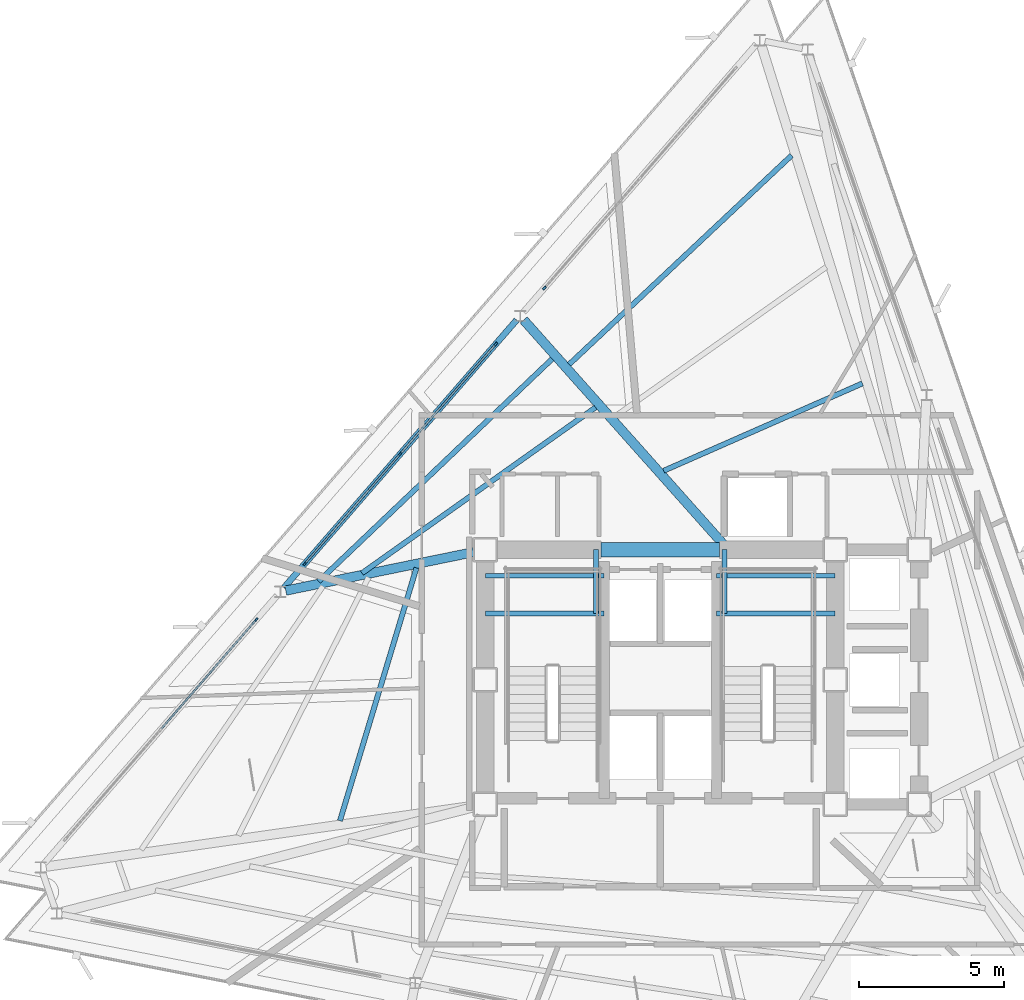
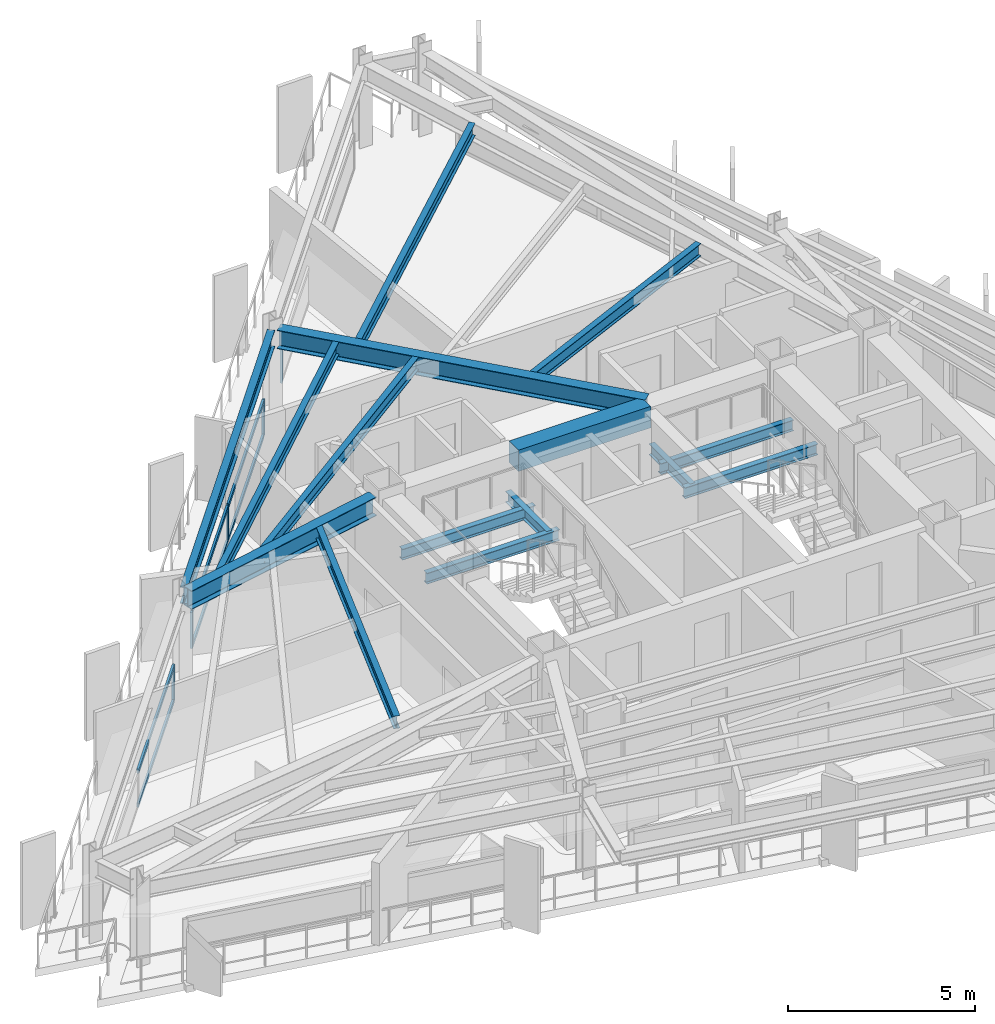
# One storey, part 4 of 14: 15 beams, 11 members, 3 elements without a shape of their own.
"""IFC4 building model written with IfcOpenShell, lengths in metres."""

from ifc_helpers import new_model, si_unit, direction, frame, origin, origin_2d, place, context, subcontext, project, spatial, rectangle, i_section, extrude, material, layer, layer_set, material_profile, profile_set, type_object, element, aggregate, save


model = new_model("IFC4")

# Units and contexts
model_context = context("Model", 3, precision=1e-05, world=origin(), true_north=direction((0.0, 1.0)))
body_context = subcontext(model_context, "Body", "Model", "MODEL_VIEW")
ifc_project = project(units=[si_unit("LENGTHUNIT", "METRE"), si_unit("AREAUNIT", "SQUARE_METRE"), si_unit("VOLUMEUNIT", "CUBIC_METRE"), si_unit("PLANEANGLEUNIT", "RADIAN"), si_unit("MASSUNIT", "GRAM", prefix="KILO")], contexts=[model_context])

# Site, building, storey
site_placement = place(None, origin())
site = spatial("IfcSite", under=ifc_project, at=site_placement, CompositionType="ELEMENT")
building_placement = place(site_placement, origin())
building = spatial("IfcBuilding", under=site, at=building_placement, Name="Rocaltana Carrier Exchange", CompositionType="ELEMENT")
storey_placement = place(building_placement, frame((0.0, 0.0, 168.47998046875)))
storey = spatial("IfcBuildingStorey", under=building, at=storey_placement, Name="L53", CompositionType="ELEMENT", Elevation=168.47998046875)

# Curtain wall, member
ifc_material_1 = material(Name="Aluminium 6063-T6", Category="aluminium")
ifc_layer = layer(ifc_material_1, 0.135009765625)
ifc_layer_set = layer_set([ifc_layer], Name="Aluminium 6063-T6")
curtain_wall_type = type_object("IfcCurtainWallType", Name="Upper-Mid Acoustic Curtain Wall CW-04", PredefinedType="NOTDEFINED", material=ifc_layer_set)
curtain_wall_1_placement = place(storey_placement, origin())
curtain_wall_1 = element("IfcCurtainWall", 1, at=curtain_wall_1_placement, inside=storey, type_object=curtain_wall_type, Name="L53 CW-04 Run CW-L53-F2S1", PredefinedType="NOTDEFINED")
ifc_material_2 = material(Name="Aluminium 6063-T6", Category="aluminium")
ifc_material_profile_1 = material_profile(ifc_material_2, rectangle(XDim=0.06494140625, YDim=0.135009765625, at=origin_2d()), Name="AL-65X135")
ifc_profile_set_1 = profile_set([ifc_material_profile_1], Name="Aluminium 6063-T6")
member_type_1 = type_object("IfcMemberType", Name="CW-04 Mullion AL-65X135", PredefinedType="MULLION", material=ifc_profile_set_1)
member_1_placement = place(storey_placement, frame((-4.005859375, 13.55126953125, 0.0), z_axis=(0.0, 0.0, 1.0), x_axis=(0.75471173919, -0.656056545375, 0.0)))
member_1 = element("IfcMember", 2, at=member_1_placement, type_object=member_type_1, Name="CW-04 mullion 3", PredefinedType="MULLION", context=body_context, shape_type="SweptSolid", body=[
    extrude(rectangle(XDim=0.06494140625, YDim=0.135009765625, at=origin_2d()), origin(), (0.0, 0.0, 1.0), 1.177978515625),
])
aggregate(curtain_wall_1, [member_1])

# Curtain wall, members
curtain_wall_2_placement = place(storey_placement, origin())
curtain_wall_2 = element("IfcCurtainWall", 3, at=curtain_wall_2_placement, inside=storey, type_object=curtain_wall_type, Name="L53 CW-04 Run CW-L53-F2S2", PredefinedType="NOTDEFINED")
member_2_placement = place(storey_placement, frame((-5.688720703125, 11.615478515625, 0.0), z_axis=(0.0, 0.0, 1.0), x_axis=(0.75471173919, -0.656056545375, 0.0)))
member_2 = element("IfcMember", 4, at=member_2_placement, type_object=member_type_1, Name="CW-04 mullion 1", PredefinedType="MULLION", context=body_context, shape_type="SweptSolid", body=[
    extrude(rectangle(XDim=0.06494140625, YDim=0.135009765625, at=origin_2d()), origin(), (0.0, 0.0, 1.0), 1.177978515625),
])
member_3_placement = place(storey_placement, frame((-8.9912109375, 7.816162109375, 0.0), z_axis=(0.0, 0.0, 1.0), x_axis=(0.75471173919, -0.656056545375, 0.0)))
member_3 = element("IfcMember", 5, at=member_3_placement, type_object=member_type_1, Name="CW-04 mullion 2", PredefinedType="MULLION", context=body_context, shape_type="SweptSolid", body=[
    extrude(rectangle(XDim=0.06494140625, YDim=0.135009765625, at=origin_2d()), origin(), (0.0, 0.0, 1.0), 1.177978515625),
])
member_4_placement = place(storey_placement, frame((-12.2939453125, 4.016845703125, 0.0), z_axis=(0.0, 0.0, 1.0), x_axis=(0.75471173919, -0.656056545375, 0.0)))
member_4 = element("IfcMember", 6, at=member_4_placement, type_object=member_type_1, Name="CW-04 mullion 3", PredefinedType="MULLION", context=body_context, shape_type="SweptSolid", body=[
    extrude(rectangle(XDim=0.06494140625, YDim=0.135009765625, at=origin_2d()), origin(), (0.0, 0.0, 1.0), 1.177978515625),
])

# Curtain wall, member
curtain_wall_3_placement = place(storey_placement, origin())
curtain_wall_3 = element("IfcCurtainWall", 7, at=curtain_wall_3_placement, inside=storey, type_object=curtain_wall_type, Name="L53 CW-04 Run CW-L53-F2S3", PredefinedType="NOTDEFINED")
member_5_placement = place(storey_placement, frame((-13.976806640625, 2.080810546875, 0.0), z_axis=(0.0, 0.0, 1.0), x_axis=(0.75471173919, -0.656056545375, 0.0)))
member_5 = element("IfcMember", 8, at=member_5_placement, type_object=member_type_1, Name="CW-04 mullion 1", PredefinedType="MULLION", context=body_context, shape_type="SweptSolid", body=[
    extrude(rectangle(XDim=0.06494140625, YDim=0.135009765625, at=origin_2d()), origin(), (0.0, 0.0, 1.0), 1.177978515625),
])

# Member
ifc_material_3 = material(Name="Aluminium 6063-T6", Category="aluminium")
ifc_material_profile_2 = material_profile(ifc_material_3, rectangle(XDim=0.06494140625, YDim=0.135009765625, at=origin_2d()), Name="AL-65X135")
ifc_profile_set_2 = profile_set([ifc_material_profile_2], Name="Aluminium 6063-T6")
member_type_2 = type_object("IfcMemberType", Name="CW-04 Transom AL-65X135", PredefinedType="USERDEFINED", material=ifc_profile_set_2)
member_6_placement = place(storey_placement, frame((-5.7099609375, 11.5908203125, 0.032470703125), z_axis=(-0.656055850486, -0.754712343243, 0.0), x_axis=(0.754712343243, -0.656055850486, 0.0)))
member_6 = element("IfcMember", 9, at=member_6_placement, type_object=member_type_2, Name="CW-04 transom 1.1", ObjectType="TRANSOM", PredefinedType="USERDEFINED", context=body_context, shape_type="SweptSolid", body=[
    extrude(rectangle(XDim=0.06494140625, YDim=0.135009765625, at=origin_2d()), origin(), (0.0, 0.0, 1.0), 4.968994140625),
])

member_7_placement = place(storey_placement, frame((-5.7099609375, 11.5908203125, 1.1455078125), z_axis=(-0.656055850486, -0.754712343243, 0.0), x_axis=(0.754712343243, -0.656055850486, 0.0)))
member_7 = element("IfcMember", 10, at=member_7_placement, type_object=member_type_2, Name="CW-04 transom 1.2", ObjectType="TRANSOM", PredefinedType="USERDEFINED", context=body_context, shape_type="SweptSolid", body=[
    extrude(rectangle(XDim=0.06494140625, YDim=0.135009765625, at=origin_2d()), origin(), (0.0, 0.0, 1.0), 4.968994140625),
])

member_8_placement = place(storey_placement, frame((-9.0126953125, 7.79150390625, 0.032470703125), z_axis=(-0.656055850486, -0.754712343243, 0.0), x_axis=(0.754712343243, -0.656055850486, 0.0)))
member_8 = element("IfcMember", 11, at=member_8_placement, type_object=member_type_2, Name="CW-04 transom 2.1", ObjectType="TRANSOM", PredefinedType="USERDEFINED", context=body_context, shape_type="SweptSolid", body=[
    extrude(rectangle(XDim=0.06494140625, YDim=0.135009765625, at=origin_2d()), origin(), (0.0, 0.0, 1.0), 4.968994140625),
])

member_9_placement = place(storey_placement, frame((-9.0126953125, 7.79150390625, 1.1455078125), z_axis=(-0.656055850486, -0.754712343243, 0.0), x_axis=(0.754712343243, -0.656055850486, 0.0)))
member_9 = element("IfcMember", 12, at=member_9_placement, type_object=member_type_2, Name="CW-04 transom 2.2", ObjectType="TRANSOM", PredefinedType="USERDEFINED", context=body_context, shape_type="SweptSolid", body=[
    extrude(rectangle(XDim=0.06494140625, YDim=0.135009765625, at=origin_2d()), origin(), (0.0, 0.0, 1.0), 4.968994140625),
])

aggregate(curtain_wall_2, [member_2, member_3, member_4, member_6, member_7, member_8, member_9])

member_10_placement = place(storey_placement, frame((-13.998046875, 2.056396484375, 0.032470703125), z_axis=(-0.656055850486, -0.754712343243, 0.0), x_axis=(0.754712343243, -0.656055850486, 0.0)))
member_10 = element("IfcMember", 13, at=member_10_placement, type_object=member_type_2, Name="CW-04 transom 1.1", ObjectType="TRANSOM", PredefinedType="USERDEFINED", context=body_context, shape_type="SweptSolid", body=[
    extrude(rectangle(XDim=0.06494140625, YDim=0.135009765625, at=origin_2d()), origin(), (0.0, 0.0, 1.0), 4.968994140625),
])

member_11_placement = place(storey_placement, frame((-13.998046875, 2.056396484375, 1.1455078125), z_axis=(-0.656055850486, -0.754712343243, 0.0), x_axis=(0.754712343243, -0.656055850486, 0.0)))
member_11 = element("IfcMember", 14, at=member_11_placement, type_object=member_type_2, Name="CW-04 transom 1.2", ObjectType="TRANSOM", PredefinedType="USERDEFINED", context=body_context, shape_type="SweptSolid", body=[
    extrude(rectangle(XDim=0.06494140625, YDim=0.135009765625, at=origin_2d()), origin(), (0.0, 0.0, 1.0), 4.968994140625),
])

aggregate(curtain_wall_3, [member_5, member_10, member_11])

# Beams
ifc_material_4 = material(Name="Concrete C60/75", Category="concrete")
ifc_material_profile_3 = material_profile(ifc_material_4, rectangle(XDim=0.5, YDim=0.699951171875, at=origin_2d()), Name="RC-BM-500X700")
ifc_profile_set_3 = profile_set([ifc_material_profile_3], Name="Concrete C60/75")
beam_type_1 = type_object("IfcBeamType", Name="Core Coupling Lintel 500x700", PredefinedType="LINTEL", material=ifc_profile_set_3)
beam_1_placement = place(storey_placement, frame((-2.050048828125, 4.5, 2.367919921875), z_axis=(1.0, 0.0, 0.0), x_axis=(0.0, 1.0, 0.0)))
element("IfcBeam", 15, at=beam_1_placement, inside=storey, type_object=beam_type_1, Name="L53 Core Coupling Lintel CL-N", PredefinedType="LINTEL", context=body_context, shape_type="SweptSolid", body=[
    extrude(rectangle(XDim=0.5, YDim=0.699951171875, at=origin_2d()), origin(), (0.0, 0.0, 1.0), 4.10009765625),
])
ifc_material_5 = material(Name="Steel S355", Category="steel")
ifc_material_profile_4 = material_profile(ifc_material_5, i_section(OverallWidth=0.172119140625, OverallDepth=0.35791015625, WebThickness=0.0078125, FlangeThickness=0.01318359375, FilletRadius=0.011962890625, at=origin_2d()), Name="W14X38")
ifc_profile_set_4 = profile_set([ifc_material_profile_4], Name="Steel S355")
beam_type_2 = type_object("IfcBeamType", Name="Floor Joist W14X38", PredefinedType="JOIST", material=ifc_profile_set_4)
for number, where, z_axis, x_axis, name in (
    (16, (-6.050048828125, 2.300048828125, 1.14111328125), (1.0, 0.0, 0.0), (0.0, 1.0, 0.0), "L53 ST-1 Landing Carrier 1"),
    (17, (1.93994140625, 2.300048828125, 1.14111328125), (1.0, 0.0, 0.0), (0.0, 1.0, 0.0), "L53 ST-2 Landing Carrier 1"),
    (18, (-6.050048828125, 3.60009765625, 1.14111328125), (1.0, 0.0, 0.0), (0.0, 1.0, 0.0), "L53 ST-1 Landing Carrier 2"),
    (19, (1.93994140625, 3.60009765625, 1.14111328125), (1.0, 0.0, 0.0), (0.0, 1.0, 0.0), "L53 ST-2 Landing Carrier 2"),
):
    element("IfcBeam", number, at=place(storey_placement, frame(where, z_axis=z_axis, x_axis=x_axis)), inside=storey, type_object=beam_type_2, Name=name, PredefinedType="JOIST", context=body_context, shape_type="SweptSolid", body=[
        extrude(i_section(OverallWidth=0.172119140625, OverallDepth=0.35791015625, WebThickness=0.0078125, FlangeThickness=0.01318359375, FilletRadius=0.011962890625, at=origin_2d()), origin(), (0.0, 0.0, 1.0), 4.110107421875),
    ])
for number, where, z_axis, x_axis, name in (
    (20, (-2.219970703125, 2.300048828125, 1.14111328125), (0.0, 1.0, 0.0), (-1.0, 0.0, 0.0), "L53 ST-1 Landing Cross Trimmer"),
    (21, (2.219970703125, 2.300048828125, 1.14111328125), (0.0, 1.0, 0.0), (-1.0, 0.0, 0.0), "L53 ST-2 Landing Cross Trimmer"),
):
    element("IfcBeam", number, at=place(storey_placement, frame(where, z_axis=z_axis, x_axis=x_axis)), inside=storey, type_object=beam_type_2, Name=name, PredefinedType="JOIST", context=body_context, shape_type="SweptSolid", body=[
        extrude(i_section(OverallWidth=0.172119140625, OverallDepth=0.35791015625, WebThickness=0.0078125, FlangeThickness=0.01318359375, FilletRadius=0.011962890625, at=origin_2d()), origin(), (0.0, 0.0, 1.0), 2.199951171875),
    ])
ifc_material_6 = material(Name="Steel S355", Category="steel")
ifc_material_profile_5 = material_profile(ifc_material_6, i_section(OverallWidth=0.179931640625, OverallDepth=0.4130859375, WebThickness=0.009765625, FlangeThickness=0.01611328125, FilletRadius=0.012939453125, at=origin_2d()), Name="W16X50")
ifc_profile_set_5 = profile_set([ifc_material_profile_5], Name="Steel S355")
beam_type_3 = type_object("IfcBeamType", Name="Floor Joist W16X50", PredefinedType="JOIST", material=ifc_profile_set_5)
beam_2_placement = place(storey_placement, frame((6.9892578125, 10.251220703125, 2.511474609375), z_axis=(-0.915437763767, -0.402459564018, 0.0), x_axis=(0.402459564018, -0.915437763767, 0.0)))
element("IfcBeam", 22, at=beam_2_placement, inside=storey, type_object=beam_type_3, Name="FJ-L53-05-1", PredefinedType="JOIST", context=body_context, shape_type="SweptSolid", body=[
    extrude(i_section(OverallWidth=0.179931640625, OverallDepth=0.4130859375, WebThickness=0.009765625, FlangeThickness=0.01611328125, FilletRadius=0.012939453125, at=origin_2d()), origin(), (0.0, 0.0, 1.0), 7.50634765625),
])
beam_3_placement = place(storey_placement, frame((4.539306640625, 18.135009765625, 2.511474609375), z_axis=(-0.728861369792, -0.684661305774, 0.0), x_axis=(0.684661305774, -0.728861369792, 0.0)))
element("IfcBeam", 23, at=beam_3_placement, inside=storey, type_object=beam_type_3, Name="FJ-L53-05-3", PredefinedType="JOIST", context=body_context, shape_type="SweptSolid", body=[
    extrude(i_section(OverallWidth=0.179931640625, OverallDepth=0.4130859375, WebThickness=0.009765625, FlangeThickness=0.01611328125, FilletRadius=0.012939453125, at=origin_2d()), origin(), (0.0, 0.0, 1.0), 10.550048828125),
])
beam_4_placement = place(storey_placement, frame((-2.239501953125, 9.42138671875, 2.511474609375), z_axis=(-0.815531916739, -0.578712098353, 0.0), x_axis=(0.578712098353, -0.815531916739, 0.0)))
element("IfcBeam", 24, at=beam_4_placement, inside=storey, type_object=beam_type_3, Name="FJ-L53-06-2", PredefinedType="JOIST", context=body_context, shape_type="SweptSolid", body=[
    extrude(i_section(OverallWidth=0.179931640625, OverallDepth=0.4130859375, WebThickness=0.009765625, FlangeThickness=0.01611328125, FilletRadius=0.012939453125, at=origin_2d()), origin(), (0.0, 0.0, 1.0), 9.90283203125),
])
beam_5_placement = place(storey_placement, frame((-3.736572265625, 11.1015625, 2.511474609375), z_axis=(-0.724047932372, -0.689749658665, 0.0), x_axis=(0.689749658665, -0.724047932372, 0.0)))
element("IfcBeam", 25, at=beam_5_placement, inside=storey, type_object=beam_type_3, Name="FJ-L53-06-3", PredefinedType="JOIST", context=body_context, shape_type="SweptSolid", body=[
    extrude(i_section(OverallWidth=0.179931640625, OverallDepth=0.4130859375, WebThickness=0.009765625, FlangeThickness=0.01611328125, FilletRadius=0.012939453125, at=origin_2d()), origin(), (0.0, 0.0, 1.0), 11.161376953125),
])
beam_6_placement = place(storey_placement, frame((-8.433349609375, 3.871826171875, 2.511474609375), z_axis=(-0.289517060533, -0.957172853596, 0.0), x_axis=(0.957172853596, -0.289517060533, 0.0)))
element("IfcBeam", 26, at=beam_6_placement, inside=storey, type_object=beam_type_3, Name="FJ-L53-07-1", PredefinedType="JOIST", context=body_context, shape_type="SweptSolid", body=[
    extrude(i_section(OverallWidth=0.179931640625, OverallDepth=0.4130859375, WebThickness=0.009765625, FlangeThickness=0.01611328125, FilletRadius=0.012939453125, at=origin_2d()), origin(), (0.0, 0.0, 1.0), 9.135009765625),
])
ifc_material_7 = material(Name="Steel S355", Category="steel")
ifc_material_profile_6 = material_profile(ifc_material_7, i_section(OverallWidth=0.323974609375, OverallDepth=0.611083984375, WebThickness=0.0126953125, FlangeThickness=0.01904296875, FilletRadius=0.01611328125, at=origin_2d()), Name="W24X104")
ifc_profile_set_6 = profile_set([ifc_material_profile_6], Name="Steel S355")
beam_type_4 = type_object("IfcBeamType", Name="Radial Girder W24X104", PredefinedType="BEAM", material=ifc_profile_set_6)
beam_7_placement = place(storey_placement, frame((2.189208984375, 4.6806640625, 2.41259765625), z_axis=(-0.664987485629, 0.746854499857, 0.0), x_axis=(-0.746854499857, -0.664987485629, 0.0)))
element("IfcBeam", 27, at=beam_7_placement, inside=storey, type_object=beam_type_4, Name="RG-L53-06", PredefinedType="BEAM", context=body_context, shape_type="SweptSolid", body=[
    extrude(i_section(OverallWidth=0.323974609375, OverallDepth=0.611083984375, WebThickness=0.0126953125, FlangeThickness=0.01904296875, FilletRadius=0.01611328125, at=origin_2d()), origin(), (0.0, 0.0, 1.0), 10.395751953125),
])
beam_8_placement = place(storey_placement, frame((-6.45849609375, 4.416259765625, 2.41259765625), z_axis=(-0.979662319108, -0.200653284349, 0.0), x_axis=(0.200653284349, -0.979662319108, 0.0)))
element("IfcBeam", 28, at=beam_8_placement, inside=storey, type_object=beam_type_4, Name="RG-L53-07", PredefinedType="BEAM", context=body_context, shape_type="SweptSolid", body=[
    extrude(i_section(OverallWidth=0.323974609375, OverallDepth=0.611083984375, WebThickness=0.0126953125, FlangeThickness=0.01904296875, FilletRadius=0.01611328125, at=origin_2d()), origin(), (0.0, 0.0, 1.0), 6.6298828125),
])
ifc_material_8 = material(Name="Steel S355", Category="steel")
ifc_material_profile_7 = material_profile(ifc_material_8, i_section(OverallWidth=0.2119140625, OverallDepth=0.5439453125, WebThickness=0.01318359375, FlangeThickness=0.021240234375, FilletRadius=0.014892578125, at=origin_2d()), Name="W21X83")
ifc_profile_set_7 = profile_set([ifc_material_profile_7], Name="Steel S355")
beam_type_5 = type_object("IfcBeamType", Name="Spandrel Edge Beam W21X83", PredefinedType="SPANDREL", material=ifc_profile_set_7)
beam_9_placement = place(storey_placement, frame((-4.968994140625, 12.443359375, 2.446044921875), z_axis=(-0.656047094668, -0.754719954405, 0.0), x_axis=(0.754719954405, -0.656047094668, 0.0)))
element("IfcBeam", 29, at=beam_9_placement, inside=storey, type_object=beam_type_5, Name="SP-L53-06", PredefinedType="SPANDREL", context=body_context, shape_type="SweptSolid", body=[
    extrude(i_section(OverallWidth=0.2119140625, OverallDepth=0.5439453125, WebThickness=0.01318359375, FlangeThickness=0.021240234375, FilletRadius=0.014892578125, at=origin_2d()), origin(), (0.0, 0.0, 1.0), 12.262451171875),
])

save(model, "model.ifc")
